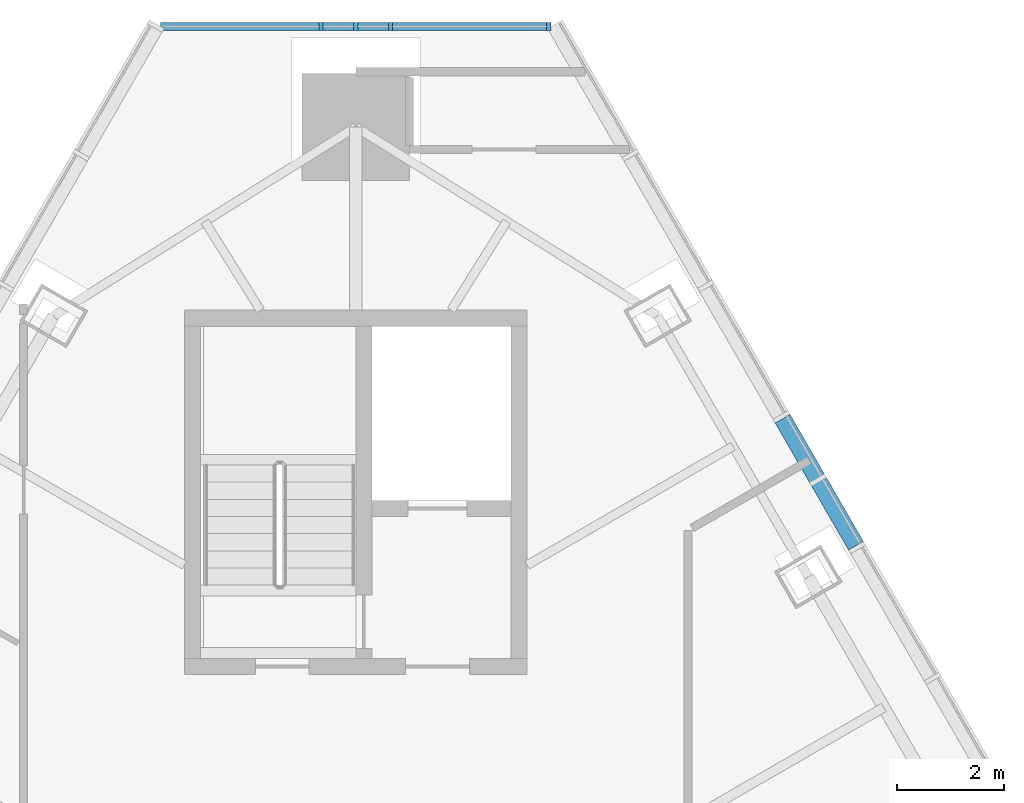
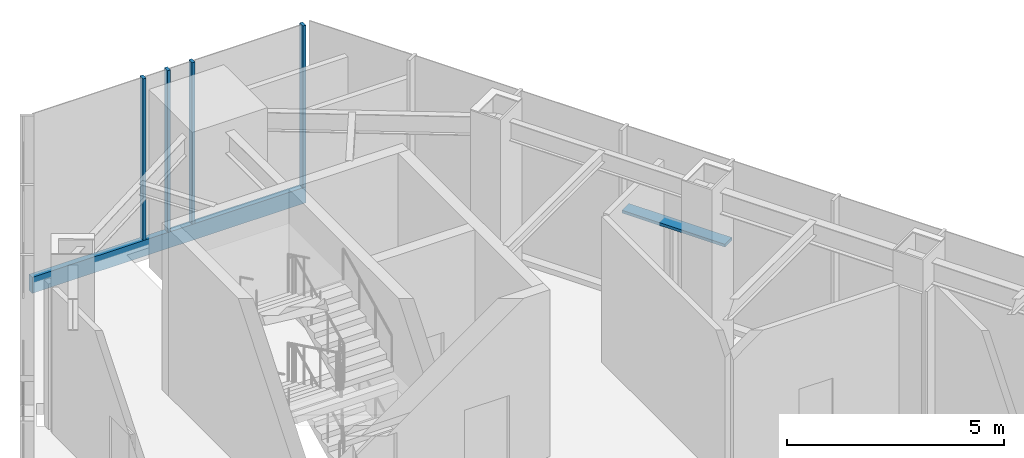
# One storey, part 7 of 17: 6 members, 2 elements without a shape of their own.
"""IFC4 building model written with IfcOpenShell, lengths in metres."""

from ifc_helpers import new_model, si_unit, direction, frame, origin, origin_2d, place, context, subcontext, project, spatial, rectangle, extrude, material, layer, layer_set, material_profile, profile_set, type_object, element, aggregate, save


model = new_model("IFC4")

# Units and contexts
model_context = context("Model", 3, precision=1e-05, world=origin(), true_north=direction((0.0, 1.0)))
body_context = subcontext(model_context, "Body", "Model", "MODEL_VIEW")
ifc_project = project(units=[si_unit("LENGTHUNIT", "METRE"), si_unit("AREAUNIT", "SQUARE_METRE"), si_unit("VOLUMEUNIT", "CUBIC_METRE"), si_unit("PLANEANGLEUNIT", "RADIAN"), si_unit("MASSUNIT", "GRAM", prefix="KILO")], contexts=[model_context])

# Site, building, storey
site_placement = place(None, origin())
site = spatial("IfcSite", under=ifc_project, at=site_placement, CompositionType="ELEMENT")
building_placement = place(site_placement, origin())
building = spatial("IfcBuilding", under=site, at=building_placement, Name="Firuza Gate Tower and Library", CompositionType="ELEMENT")
storey_placement = place(building_placement, frame((0.0, 0.0, 326.60009765625)))
storey = spatial("IfcBuildingStorey", under=building, at=storey_placement, Name="L80", CompositionType="ELEMENT", Elevation=326.60009765625)

# Curtain wall, members
ifc_material_1 = material(Name="Aluminium 6063-T6", Category="aluminium")
ifc_layer_1 = layer(ifc_material_1, 0.14990234375)
ifc_layer_set_1 = layer_set([ifc_layer_1], Name="Corner curtain wall, chamfers")
curtain_wall_type_1 = type_object("IfcCurtainWallType", Name="Corner curtain wall, chamfers", PredefinedType="NOTDEFINED", material=ifc_layer_set_1)
placement = place(storey_placement, origin())
curtain_wall_1 = element("IfcCurtainWall", 1, at=placement, inside=storey, type_object=curtain_wall_type_1, Name="CW4 L80 N corner", PredefinedType="NOTDEFINED")
ifc_material_2 = material(Name="Aluminium 6063-T6", Category="aluminium")
ifc_material_profile_1 = material_profile(ifc_material_2, rectangle(XDim=0.14990234375, YDim=0.080078125, at=origin_2d()))
ifc_profile_set_1 = profile_set([ifc_material_profile_1], Name="Aluminium 6063-T6")
member_type_1 = type_object("IfcMemberType", Name="Curtain wall mullion 80x150", PredefinedType="MULLION", material=ifc_profile_set_1)
member_1_placement = place(storey_placement, frame((78.603271484375, 99.893310546875, 0.14990234375), z_axis=(0.0, 0.0, 1.0), x_axis=(0.0, -1.0, 0.0)))
member_1 = element("IfcMember", 2, at=member_1_placement, type_object=member_type_1, Name="Mullion", PredefinedType="MULLION", context=body_context, shape_type="SweptSolid", body=[
    extrude(rectangle(XDim=0.14990234375, YDim=0.080078125, at=origin_2d()), origin(), (0.0, 0.0, 1.0), 4.550048828125),
])
member_2_placement = place(storey_placement, frame((75.0, 99.893310546875, 0.14990234375), z_axis=(0.0, 0.0, 1.0), x_axis=(0.0, -1.0, 0.0)))
member_2 = element("IfcMember", 3, at=member_2_placement, type_object=member_type_1, Name="Mullion", PredefinedType="MULLION", context=body_context, shape_type="SweptSolid", body=[
    extrude(rectangle(XDim=0.14990234375, YDim=0.080078125, at=origin_2d()), origin(), (0.0, 0.0, 1.0), 4.550048828125),
])
member_3_placement = place(storey_placement, frame((75.64990234375, 99.893310546875, 0.14990234375), z_axis=(0.0, 0.0, 1.0), x_axis=(0.0, -1.0, 0.0)))
member_3 = element("IfcMember", 4, at=member_3_placement, type_object=member_type_1, Name="Mullion", PredefinedType="MULLION", context=body_context, shape_type="SweptSolid", body=[
    extrude(rectangle(XDim=0.14990234375, YDim=0.080078125, at=origin_2d()), origin(), (0.0, 0.0, 1.0), 4.550048828125),
])
member_4_placement = place(storey_placement, frame((74.35009765625, 99.893310546875, 0.14990234375), z_axis=(0.0, 0.0, 1.0), x_axis=(0.0, -1.0, 0.0)))
member_4 = element("IfcMember", 5, at=member_4_placement, type_object=member_type_1, Name="Mullion", PredefinedType="MULLION", context=body_context, shape_type="SweptSolid", body=[
    extrude(rectangle(XDim=0.14990234375, YDim=0.080078125, at=origin_2d()), origin(), (0.0, 0.0, 1.0), 4.550048828125),
])
ifc_material_3 = material(Name="Aluminium 6063-T6", Category="aluminium")
ifc_material_profile_2 = material_profile(ifc_material_3, rectangle(XDim=0.14990234375, YDim=0.449951171875, at=origin_2d()))
ifc_profile_set_2 = profile_set([ifc_material_profile_2], Name="Aluminium 6063-T6")
member_type_2 = type_object("IfcMemberType", Name="Curtain wall transom 450x150", PredefinedType="USERDEFINED", material=ifc_profile_set_2)
member_5_placement = place(storey_placement, frame((78.643310546875, 99.893310546875, -0.0751953125), z_axis=(-1.0, 0.0, 0.0), x_axis=(0.0, -1.0, 0.0)))
member_5 = element("IfcMember", 6, at=member_5_placement, type_object=member_type_2, Name="Transom", ObjectType="TRANSOM", PredefinedType="USERDEFINED", context=body_context, shape_type="SweptSolid", body=[
    extrude(rectangle(XDim=0.14990234375, YDim=0.449951171875, at=origin_2d()), origin(), (0.0, 0.0, 1.0), 7.28662109375),
])
aggregate(curtain_wall_1, [member_1, member_2, member_5, member_3, member_4])

# Curtain wall, member
ifc_material_4 = material(Name="Aluminium 6063-T6", Category="aluminium")
ifc_layer_2 = layer(ifc_material_4, 0.14990234375)
ifc_layer_set_2 = layer_set([ifc_layer_2], Name="Unitised curtain wall, residences")
curtain_wall_type_2 = type_object("IfcCurtainWallType", Name="Unitised curtain wall, residences", PredefinedType="NOTDEFINED", material=ifc_layer_set_2)
curtain_wall_2 = element("IfcCurtainWall", 7, at=placement, inside=storey, type_object=curtain_wall_type_2, Name="CW3 L80 E face", PredefinedType="NOTDEFINED")
ifc_material_5 = material(Name="Aluminium 6063-T6", Category="aluminium")
ifc_material_profile_3 = material_profile(ifc_material_5, rectangle(XDim=0.320068359375, YDim=0.080078125, at=origin_2d()))
ifc_profile_set_3 = profile_set([ifc_material_profile_3], Name="Aluminium 6063-T6")
member_type_3 = type_object("IfcMemberType", Name="Curtain wall transom 80x320", PredefinedType="USERDEFINED", material=ifc_profile_set_3)
member_6_placement = place(storey_placement, frame((84.3359375, 90.203369140625, 2.4248046875), z_axis=(-0.499953886166, 0.866052025982, 0.0), x_axis=(-0.866052025982, -0.499953886166, 0.0)))
member_6 = element("IfcMember", 8, at=member_6_placement, type_object=member_type_3, Name="Transom", ObjectType="TRANSOM", PredefinedType="USERDEFINED", context=body_context, shape_type="SweptSolid", body=[
    extrude(rectangle(XDim=0.320068359375, YDim=0.080078125, at=origin_2d()), origin(), (0.0, 0.0, 1.0), 2.739501953125),
])
aggregate(curtain_wall_2, [member_6])

save(model, "model.ifc")
